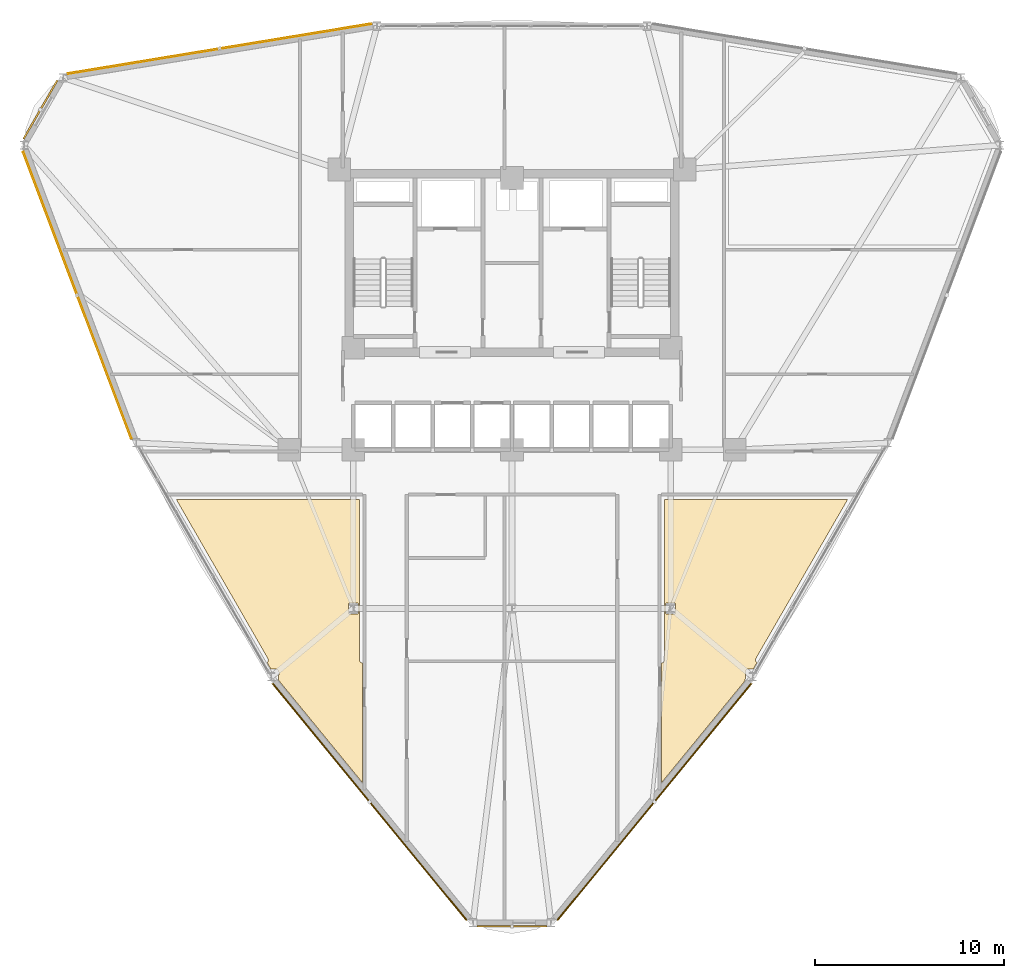
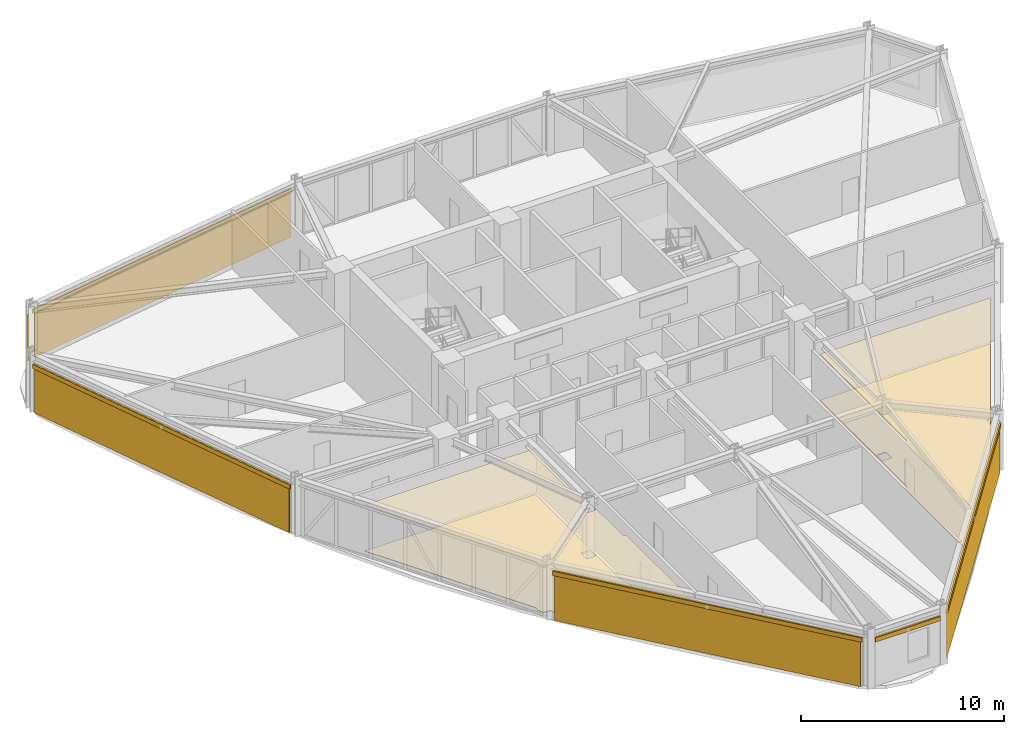
# One storey, part 16 of 17: 8 coverings, 6 shading devices.
"""IFC4 building model written with IfcOpenShell, lengths in metres."""

from ifc_helpers import new_model, si_unit, derived_unit, direction, frame, origin, origin_2d, place, context, subcontext, project, spatial, polyline, hollow_rectangle, outline, extrude, source, transform, mapped, material, layer, layer_set, material_profile, profile_set, type_object, element, save


model = new_model("IFC4")

# Units and contexts
model_context = context("Model", 3, precision=1e-05, world=origin(), true_north=direction((0.0, 1.0)))
body_context = subcontext(model_context, "Body", "Model", "MODEL_VIEW")
ifc_project = project(units=[si_unit("LENGTHUNIT", "METRE"), si_unit("AREAUNIT", "SQUARE_METRE"), si_unit("VOLUMEUNIT", "CUBIC_METRE"), si_unit("PLANEANGLEUNIT", "RADIAN"), si_unit("MASSUNIT", "GRAM", prefix="KILO"), derived_unit("THERMALTRANSMITTANCEUNIT", [(si_unit("POWERUNIT", "WATT"), 1), (si_unit("LENGTHUNIT", "METRE"), -2), (si_unit("THERMODYNAMICTEMPERATUREUNIT", "KELVIN"), -1)])], contexts=[model_context])

# Site, building, storey
site_placement = place(None, origin())
site = spatial("IfcSite", under=ifc_project, at=site_placement, CompositionType="ELEMENT")
building_placement = place(site_placement, origin())
building = spatial("IfcBuilding", under=site, at=building_placement, Name="Korsvarv Bourse and Concert Hall", CompositionType="ELEMENT")
storey_placement = place(building_placement, frame((0.0, 0.0, 102.60009765625)))
storey = spatial("IfcBuildingStorey", under=building, at=storey_placement, Name="L25", CompositionType="ELEMENT", Elevation=102.60009765625)

# Coverings
ifc_material_1 = material(Name="Perforated mineral-wool and birch acoustic baffle ceiling", Category="wood")
ifc_layer_1 = layer(ifc_material_1, 0.02490234375)
ifc_layer_set_1 = layer_set([ifc_layer_1], Name="Perforated mineral-wool and birch acoustic baffle ceiling")
covering_type_1 = type_object("IfcCoveringType", Name="COV-CEIL-1", PredefinedType="CEILING", material=ifc_layer_set_1)
covering_1_placement = place(storey_placement, frame((0.0, 0.0, 2.77978515625)))
element("IfcCovering", 1, at=covering_1_placement, inside=storey, type_object=covering_type_1, Name="L25 acoustic baffle ceiling 2", PredefinedType="CEILING", context=body_context, shape_type="SweptSolid", body=[
    extrude(outline(polyline([(23.033935546875, 21.129638671875), (23.056884765625, 21.155517578125), (23.07470703125, 21.185302734375), (23.08642578125, 21.218017578125), (23.091796875, 21.252197265625), (23.09033203125, 21.286865234375), (23.082275390625, 21.320556640625), (23.068115234375, 21.35205078125), (18.22119140625, 29.77001953125), (27.919921875, 29.77001953125), (27.919921875, 21.2900390625), (27.923583984375, 21.25390625), (27.9345703125, 21.218994140625), (27.952392578125, 21.187255859375), (27.97607421875, 21.15966796875), (28.0048828125, 21.13720703125), (28.03759765625, 21.12109375), (28.07275390625, 21.112060546875), (28.080078125, 14.77001953125), (23.6396484375, 20.189697265625), (23.647705078125, 20.606689453125), (23.64501953125, 20.6416015625), (23.635498046875, 20.675537109375), (23.61962890625, 20.706787109375), (23.59814453125, 20.734375), (23.571533203125, 20.75732421875), (23.541015625, 20.774658203125), (23.5078125, 20.78564453125), (23.472900390625, 20.7900390625), (23.21728515625, 20.79736328125), (23.033935546875, 21.129638671875)]), holes=[polyline([(27.37353515625, 23.715087890625), (27.81201171875, 23.712890625), (27.835693359375, 23.718994140625), (27.853515625, 23.735107421875), (27.86181640625, 23.758056640625), (27.862060546875, 24.237060546875), (27.856201171875, 24.260498046875), (27.83984375, 24.278564453125), (27.81689453125, 24.286865234375), (27.387939453125, 24.287109375), (27.364501953125, 24.281005859375), (27.346435546875, 24.264892578125), (27.338134765625, 24.241943359375), (27.337890625, 23.762939453125), (27.343994140625, 23.739501953125), (27.37353515625, 23.715087890625)])]), origin(), (0.0, 0.0, 1.0), 0.025146484375),
])
covering_2_placement = place(storey_placement, frame((0.0, 0.0, 2.77978515625)))
element("IfcCovering", 2, at=covering_2_placement, inside=storey, type_object=covering_type_1, Name="L25 acoustic baffle ceiling 3", PredefinedType="CEILING", context=body_context, shape_type="SweptSolid", body=[
    extrude(outline(polyline([(43.92724609375, 21.112060546875), (43.96240234375, 21.12109375), (43.9951171875, 21.13720703125), (44.02392578125, 21.15966796875), (44.047607421875, 21.187255859375), (44.0654296875, 21.218994140625), (44.076416015625, 21.25390625), (44.080078125, 21.2900390625), (44.080078125, 29.77001953125), (53.7783203125, 29.77001953125), (48.9228515625, 21.360107421875), (48.90869140625, 21.328857421875), (48.900634765625, 21.295654296875), (48.89892578125, 21.26171875), (48.90380859375, 21.227783203125), (48.914794921875, 21.195556640625), (48.931884765625, 21.166015625), (48.9541015625, 21.139892578125), (48.971923828125, 21.125), (48.784423828125, 20.80029296875), (48.542236328125, 20.80029296875), (48.507568359375, 20.796875), (48.47412109375, 20.786865234375), (48.443359375, 20.770751953125), (48.416259765625, 20.748779296875), (48.393798828125, 20.72216796875), (48.376953125, 20.69189453125), (48.366455078125, 20.65869140625), (48.3623046875, 20.6240234375), (48.352783203125, 20.180419921875), (43.919921875, 14.77001953125), (43.92724609375, 21.112060546875)]), holes=[polyline([(44.173583984375, 23.715087890625), (44.612060546875, 23.712890625), (44.635498046875, 23.718994140625), (44.653564453125, 23.735107421875), (44.661865234375, 23.758056640625), (44.662109375, 24.237060546875), (44.656005859375, 24.260498046875), (44.639892578125, 24.278564453125), (44.616943359375, 24.286865234375), (44.18798828125, 24.287109375), (44.164306640625, 24.281005859375), (44.146484375, 24.264892578125), (44.13818359375, 24.241943359375), (44.137939453125, 23.762939453125), (44.143798828125, 23.739501953125), (44.173583984375, 23.715087890625)])]), origin(), (0.0, 0.0, 1.0), 0.025146484375),
])
ifc_material_2 = material(Name="Warm iron-oxide extruded terracotta rainscreen tile", Category="ceramic")
ifc_layer_2 = layer(ifc_material_2, 0.044921875)
ifc_layer_set_2 = layer_set([ifc_layer_2], Name="Warm iron-oxide extruded terracotta rainscreen tile")
covering_type_2 = type_object("IfcCoveringType", Name="COV-CLD-TC", PredefinedType="CLADDING", material=ifc_layer_set_2)
covering_3_placement = place(storey_placement, origin())
element("IfcCovering", 3, at=covering_3_placement, inside=storey, type_object=covering_type_2, Name="L25 fluted terracotta cladding panel EW-L25-B04", PredefinedType="CLADDING", context=body_context, shape_type="SweptSolid", body=[
    extrude(outline(polyline([(28.535888671875, 54.9365234375), (12.48828125, 52.30078125), (12.48095703125, 52.34521484375), (28.528564453125, 54.98095703125), (28.535888671875, 54.9365234375)])), origin(), (0.0, 0.0, 1.0), 2.6298828125),
])
covering_4_placement = place(storey_placement, origin())
element("IfcCovering", 4, at=covering_4_placement, inside=storey, type_object=covering_type_2, Name="L25 fluted terracotta cladding panel EW-L25-B06", PredefinedType="CLADDING", context=body_context, shape_type="SweptSolid", body=[
    extrude(outline(polyline([(10.138427734375, 48.181884765625), (15.857177734375, 33.025390625), (15.81494140625, 33.009521484375), (10.09619140625, 48.166015625), (10.138427734375, 48.181884765625)])), origin(), (0.0, 0.0, 1.0), 2.6298828125),
])
covering_5_placement = place(storey_placement, origin())
element("IfcCovering", 5, at=covering_5_placement, inside=storey, type_object=covering_type_2, Name="L25 fluted terracotta cladding panel EW-L25-B08", PredefinedType="CLADDING", context=body_context, shape_type="SweptSolid", body=[
    extrude(outline(polyline([(23.385498046875, 20.002685546875), (33.5859375, 7.552490234375), (33.55126953125, 7.524169921875), (23.350830078125, 19.97412109375), (23.385498046875, 20.002685546875)])), origin(), (0.0, 0.0, 1.0), 2.679931640625),
])
covering_6_placement = place(storey_placement, origin())
element("IfcCovering", 6, at=covering_6_placement, inside=storey, type_object=covering_type_2, Name="L25 fluted terracotta cladding panel EW-L25-B10", PredefinedType="CLADDING", context=body_context, shape_type="SweptSolid", body=[
    extrude(outline(polyline([(38.4140625, 7.552490234375), (48.614501953125, 20.002685546875), (48.649169921875, 19.97412109375), (38.44873046875, 7.524169921875), (38.4140625, 7.552490234375)])), origin(), (0.0, 0.0, 1.0), 2.679931640625),
])
ifc_material_3 = material(Name="Calcium-sulphate raised access trading floor with Nordic oak top", Category="wood")
ifc_layer_3 = layer(ifc_material_3, 0.0400390625)
ifc_layer_set_3 = layer_set([ifc_layer_3], Name="Calcium-sulphate raised access trading floor with Nordic oak top")
covering_type_3 = type_object("IfcCoveringType", Name="COV-FLOR-1", PredefinedType="FLOORING", material=ifc_layer_set_3)
covering_7_placement = place(storey_placement, origin())
element("IfcCovering", 7, at=covering_7_placement, inside=storey, type_object=covering_type_3, Name="L25 raised access oak floor finish 2", PredefinedType="FLOORING", context=body_context, shape_type="SweptSolid", body=[
    extrude(outline(polyline([(23.033935546875, 21.129638671875), (23.056884765625, 21.155517578125), (23.07470703125, 21.185302734375), (23.08642578125, 21.218017578125), (23.091796875, 21.252197265625), (23.09033203125, 21.286865234375), (23.082275390625, 21.320556640625), (23.068115234375, 21.35205078125), (18.22119140625, 29.77001953125), (27.919921875, 29.77001953125), (27.919921875, 21.2900390625), (27.923583984375, 21.25390625), (27.9345703125, 21.218994140625), (27.952392578125, 21.187255859375), (27.97607421875, 21.15966796875), (28.0048828125, 21.13720703125), (28.03759765625, 21.12109375), (28.07275390625, 21.112060546875), (28.080078125, 14.77001953125), (23.6396484375, 20.189697265625), (23.647705078125, 20.606689453125), (23.64501953125, 20.6416015625), (23.635498046875, 20.675537109375), (23.61962890625, 20.706787109375), (23.59814453125, 20.734375), (23.571533203125, 20.75732421875), (23.541015625, 20.774658203125), (23.5078125, 20.78564453125), (23.472900390625, 20.7900390625), (23.21728515625, 20.79736328125), (23.033935546875, 21.129638671875)]), holes=[polyline([(27.37353515625, 23.715087890625), (27.81201171875, 23.712890625), (27.835693359375, 23.718994140625), (27.853515625, 23.735107421875), (27.86181640625, 23.758056640625), (27.862060546875, 24.237060546875), (27.856201171875, 24.260498046875), (27.83984375, 24.278564453125), (27.81689453125, 24.286865234375), (27.387939453125, 24.287109375), (27.364501953125, 24.281005859375), (27.346435546875, 24.264892578125), (27.338134765625, 24.241943359375), (27.337890625, 23.762939453125), (27.343994140625, 23.739501953125), (27.37353515625, 23.715087890625)])]), origin(), (0.0, 0.0, 1.0), 0.039794921875),
])
covering_8_placement = place(storey_placement, origin())
element("IfcCovering", 8, at=covering_8_placement, inside=storey, type_object=covering_type_3, Name="L25 raised access oak floor finish 3", PredefinedType="FLOORING", context=body_context, shape_type="SweptSolid", body=[
    extrude(outline(polyline([(43.92724609375, 21.112060546875), (43.96240234375, 21.12109375), (43.9951171875, 21.13720703125), (44.02392578125, 21.15966796875), (44.047607421875, 21.187255859375), (44.0654296875, 21.218994140625), (44.076416015625, 21.25390625), (44.080078125, 21.2900390625), (44.080078125, 29.77001953125), (53.7783203125, 29.77001953125), (48.9228515625, 21.360107421875), (48.90869140625, 21.328857421875), (48.900634765625, 21.295654296875), (48.89892578125, 21.26171875), (48.90380859375, 21.227783203125), (48.914794921875, 21.195556640625), (48.931884765625, 21.166015625), (48.9541015625, 21.139892578125), (48.971923828125, 21.125), (48.784423828125, 20.80029296875), (48.542236328125, 20.80029296875), (48.507568359375, 20.796875), (48.47412109375, 20.786865234375), (48.443359375, 20.770751953125), (48.416259765625, 20.748779296875), (48.393798828125, 20.72216796875), (48.376953125, 20.69189453125), (48.366455078125, 20.65869140625), (48.3623046875, 20.6240234375), (48.352783203125, 20.180419921875), (43.919921875, 14.77001953125), (43.92724609375, 21.112060546875)]), holes=[polyline([(44.173583984375, 23.715087890625), (44.612060546875, 23.712890625), (44.635498046875, 23.718994140625), (44.653564453125, 23.735107421875), (44.661865234375, 23.758056640625), (44.662109375, 24.237060546875), (44.656005859375, 24.260498046875), (44.639892578125, 24.278564453125), (44.616943359375, 24.286865234375), (44.18798828125, 24.287109375), (44.164306640625, 24.281005859375), (44.146484375, 24.264892578125), (44.13818359375, 24.241943359375), (44.137939453125, 23.762939453125), (44.143798828125, 23.739501953125), (44.173583984375, 23.715087890625)])]), origin(), (0.0, 0.0, 1.0), 0.039794921875),
])

# Shading devices
ifc_material_4 = material(Name="Glazed extruded architectural terracotta", Category="ceramic")
ifc_material_profile = material_profile(ifc_material_4, hollow_rectangle(XDim=0.090087890625, YDim=0.260009765625, WallThickness=0.011962890625, at=origin_2d()), Name="TC-BAG 90x260")
ifc_profile_set = profile_set([ifc_material_profile], Name="Glazed extruded architectural terracotta")
shading_device_type = type_object("IfcShadingDeviceType", Name="SHD-BAG-1", PredefinedType="USERDEFINED", material=ifc_profile_set)
shared_shape_1 = source(origin(), body_context, "Body", "SweptSolid", [
    extrude(hollow_rectangle(XDim=0.090087890625, YDim=0.260009765625, WallThickness=0.011962890625, at=origin_2d()), origin(), (0.0, 0.0, 1.0), 16.42236328125),
])
shading_device_1_placement = place(storey_placement, frame((28.608154296875, 54.989013671875, 2.789794921875), z_axis=(-0.986778909092, -0.162072158533, 0.0), x_axis=(0.162072158533, -0.986778909092, 0.0)))
element("IfcShadingDevice", 9, at=shading_device_1_placement, inside=storey, type_object=shading_device_type, Name="L25 terracotta baguette sunshade EW-L25-B04", ObjectType="BAGUETTE", PredefinedType="USERDEFINED", context=body_context, shape_type="MappedRepresentation", body=[
    mapped(shared_shape_1, transform((0.0, 0.0, 0.0), scale=1.0)),
])
shared_shape_2 = source(origin(), body_context, "Body", "SweptSolid", [
    extrude(hollow_rectangle(XDim=0.090087890625, YDim=0.260009765625, WallThickness=0.011962890625, at=origin_2d()), origin(), (0.0, 0.0, 1.0), 16.359130859375),
])
shading_device_2_placement = place(storey_placement, frame((10.07275390625, 48.242431640625, 2.789794921875), z_axis=(0.353021512356, -0.935615204993, 0.0), x_axis=(0.935615204993, 0.353021512356, 0.0)))
element("IfcShadingDevice", 10, at=shading_device_2_placement, inside=storey, type_object=shading_device_type, Name="L25 terracotta baguette sunshade EW-L25-B06", ObjectType="BAGUETTE", PredefinedType="USERDEFINED", context=body_context, shape_type="MappedRepresentation", body=[
    mapped(shared_shape_2, transform((0.0, 0.0, 0.0), scale=1.0)),
])
shared_shape_3 = source(origin(), body_context, "Body", "SweptSolid", [
    extrude(hollow_rectangle(XDim=0.090087890625, YDim=0.260009765625, WallThickness=0.011962890625, at=origin_2d()), origin(), (0.0, 0.0, 1.0), 16.255126953125),
])
for number, where, z_axis, x_axis, name in (
    (11, (23.303955078125, 20.039306640625, 2.83984375), (0.633752096714, -0.773536217582, 0.0), (0.773536217582, 0.633752096714, 0.0), "L25 terracotta baguette sunshade EW-L25-B08"),
    (12, (38.394287109375, 7.46533203125, 2.83984375), (0.633752096714, 0.773536217582, 0.0), (-0.773536217582, 0.633752096714, 0.0), "L25 terracotta baguette sunshade EW-L25-B10"),
):
    element("IfcShadingDevice", number, at=place(storey_placement, frame(where, z_axis=z_axis, x_axis=x_axis)), inside=storey, type_object=shading_device_type, Name=name, ObjectType="BAGUETTE", PredefinedType="USERDEFINED", context=body_context, shape_type="MappedRepresentation", body=[
        mapped(shared_shape_3, transform((0.0, 0.0, 0.0), scale=1.0)),
    ])
shared_shape_4 = source(origin(), body_context, "Body", "SweptSolid", [
    extrude(hollow_rectangle(XDim=0.090087890625, YDim=0.260009765625, WallThickness=0.011962890625, at=origin_2d()), origin(), (0.0, 0.0, 1.0), 3.60009765625),
])
shading_device_3_placement = place(storey_placement, frame((11.9228515625, 51.9794921875, 2.83984375), z_axis=(-0.500012057535, -0.866018442252, 0.0), x_axis=(0.866018442252, -0.500012057535, 0.0)))
element("IfcShadingDevice", 13, at=shading_device_3_placement, inside=storey, type_object=shading_device_type, Name="L25 terracotta baguette sunshade EW-L25-B05", ObjectType="BAGUETTE", PredefinedType="USERDEFINED", context=body_context, shape_type="MappedRepresentation", body=[
    mapped(shared_shape_4, transform((0.0, 0.0, 0.0), scale=1.0)),
])
shared_shape_5 = source(origin(), body_context, "Body", "SweptSolid", [
    extrude(hollow_rectangle(XDim=0.090087890625, YDim=0.260009765625, WallThickness=0.011962890625, at=origin_2d()), origin(), (0.0, 0.0, 1.0), 3.708984375),
])
shading_device_4_placement = place(storey_placement, frame((34.1455078125, 7.15869140625, 2.83984375), z_axis=(1.0, 0.0, 0.0), x_axis=(0.0, 1.0, 0.0)))
element("IfcShadingDevice", 14, at=shading_device_4_placement, inside=storey, type_object=shading_device_type, Name="L25 terracotta baguette sunshade EW-L25-B09", ObjectType="BAGUETTE", PredefinedType="USERDEFINED", context=body_context, shape_type="MappedRepresentation", body=[
    mapped(shared_shape_5, transform((0.0, 0.0, 0.0), scale=1.0)),
])

save(model, "model.ifc")
